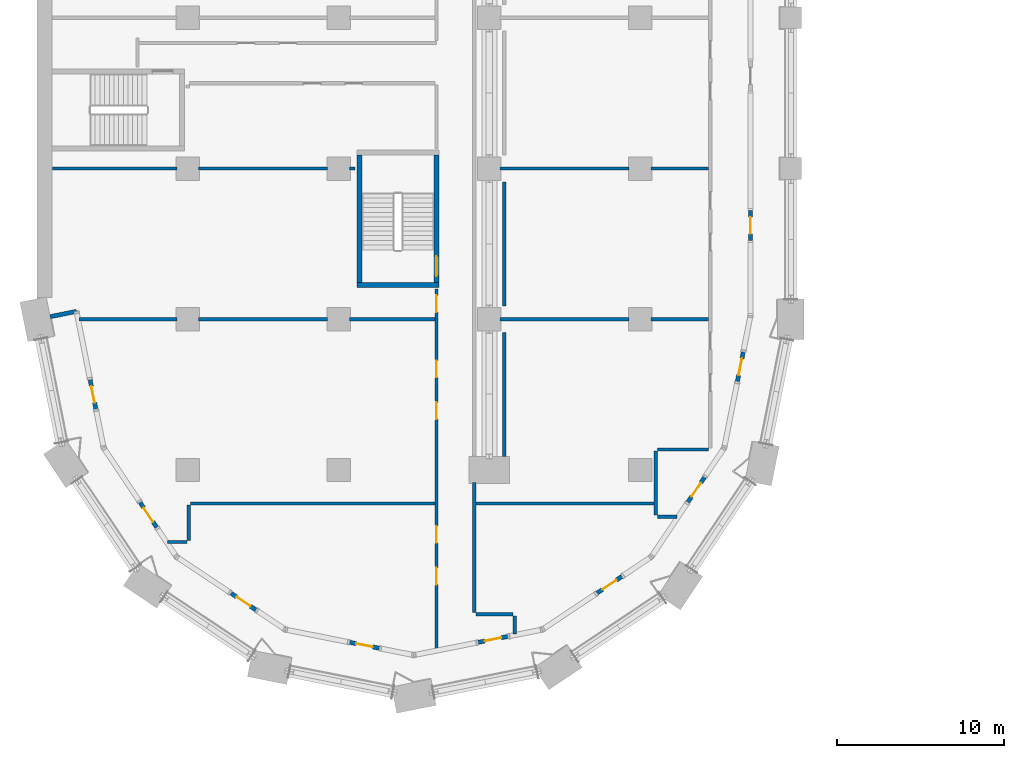
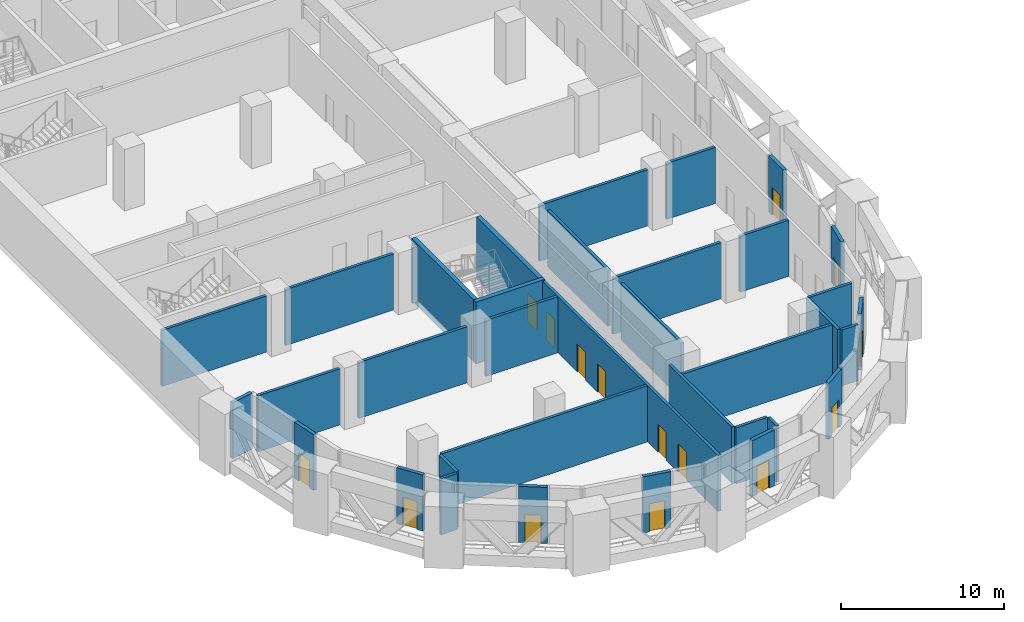
# One storey, part 8 of 24: 36 walls, 15 doors, 15 openings.
"""IFC4 building model written with IfcOpenShell, lengths in metres."""

from ifc_helpers import new_model, si_unit, direction, frame, frame_2d, origin, place, context, subcontext, project, spatial, rectangle, extrude, material, layer, layer_set, type_object, element, fill, save


model = new_model("IFC4")

# Units and contexts
model_context = context("Model", 3, precision=1e-05, world=origin(), true_north=direction((0.0, 1.0)))
body_context = subcontext(model_context, "Body", "Model", "MODEL_VIEW")
ifc_project = project(units=[si_unit("LENGTHUNIT", "METRE"), si_unit("AREAUNIT", "SQUARE_METRE"), si_unit("VOLUMEUNIT", "CUBIC_METRE"), si_unit("PLANEANGLEUNIT", "RADIAN"), si_unit("MASSUNIT", "GRAM", prefix="KILO")], contexts=[model_context])

# Site, building, storey
site_placement = place(None, origin())
site = spatial("IfcSite", under=ifc_project, at=site_placement, CompositionType="ELEMENT")
building_placement = place(site_placement, origin())
building = spatial("IfcBuilding", under=site, at=building_placement, Name="Hunhe Ridgeline Campus", CompositionType="ELEMENT")
storey_placement = place(building_placement, frame((0.0, 0.0, 80.199951171875)))
storey = spatial("IfcBuildingStorey", under=building, at=storey_placement, Name="L19", CompositionType="ELEMENT", Elevation=80.199951171875)

# Walls
ifc_material_1 = material(Name="Concrete C30", Category="concrete")
ifc_layer_1 = layer(ifc_material_1, 0.25)
ifc_layer_set_1 = layer_set([ifc_layer_1], Name="Corner return wall 250 Concrete C30")
wall_type_1 = type_object("IfcWallType", Name="Corner return wall 250 Concrete C30", PredefinedType="SOLIDWALL", material=ifc_layer_set_1)
wall_1_placement = place(storey_placement, frame((0.784423828125, 27.15673828125, 0.0), z_axis=(0.0, 0.0, 1.0), x_axis=(0.980826234823, 0.19488431718, 0.0)))
element("IfcWall", 1, at=wall_1_placement, inside=storey, type_object=wall_type_1, Name="Corner return wall 1", PredefinedType="SOLIDWALL", context=body_context, shape_type="SweptSolid", body=[
    extrude(rectangle(XDim=1.60107421875, YDim=0.25, at=frame_2d((0.800537109375, 0.0))), origin(), (0.0, 0.0, 1.0), 4.199951171875),
])
ifc_material_2 = material(Name="Gypsum board partition")
ifc_layer_2 = layer(ifc_material_2, 0.199951171875)
ifc_layer_set_2 = layer_set([ifc_layer_2], Name="Corridor partition 200 gypsum board on steel studs")
wall_type_2 = type_object("IfcWallType", Name="Corridor partition 200 gypsum board on steel studs", PredefinedType="PARTITIONING", material=ifc_layer_set_2)
wall_2_placement = place(storey_placement, frame((26.199951171875, 9.386962890625, 0.0), z_axis=(0.0, 0.0, 1.0), x_axis=(1.0, 0.0, 0.0)))
element("IfcWall", 2, at=wall_2_placement, inside=storey, type_object=wall_type_2, Name="F-L19-wall-001", PredefinedType="PARTITIONING", context=body_context, shape_type="SweptSolid", body=[
    extrude(rectangle(XDim=2.219970703125, YDim=0.199951171875, at=frame_2d((1.10986328125, 0.0))), origin(), (0.0, 0.0, 1.0), 4.199951171875),
])
for number, where, z_axis, x_axis, name in (
    (3, (7.796875, 13.702880859375, 0.0), (0.0, 0.0, 1.0), (1.0, 0.0, 0.0), "F-L19-wall-002"),
    (4, (38.203125, 15.199951171875, 0.0), (0.0, 0.0, 1.0), (-1.0, 0.0, 0.0), "F-L19-wall-003"),
):
    element("IfcWall", number, at=place(storey_placement, frame(where, z_axis=z_axis, x_axis=x_axis)), inside=storey, type_object=wall_type_2, Name=name, PredefinedType="PARTITIONING", context=body_context, shape_type="SweptSolid", body=[
        extrude(rectangle(XDim=1.1650390625, YDim=0.199951171875, at=frame_2d((0.58251953125, 0.0))), origin(), (0.0, 0.0, 1.0), 4.199951171875),
    ])
wall_3_placement = place(storey_placement, frame((9.162109375, 15.9990234375, 0.0), z_axis=(0.0, 0.0, 1.0), x_axis=(1.0, 0.0, 0.0)))
element("IfcWall", 5, at=wall_3_placement, inside=storey, type_object=wall_type_2, Name="F-L19-wall-004", PredefinedType="PARTITIONING", context=body_context, shape_type="SweptSolid", body=[
    extrude(rectangle(XDim=14.587890625, YDim=0.199951171875, at=frame_2d((7.2939453125, 0.0))), origin(), (0.0, 0.0, 1.0), 4.199951171875),
])
wall_4_placement = place(storey_placement, frame((26.199951171875, 15.9990234375, 0.0), z_axis=(0.0, 0.0, 1.0), x_axis=(1.0, 0.0, 0.0)))
element("IfcWall", 6, at=wall_4_placement, inside=storey, type_object=wall_type_2, Name="F-L19-wall-005", PredefinedType="PARTITIONING", context=body_context, shape_type="SweptSolid", body=[
    extrude(rectangle(XDim=10.637939453125, YDim=0.199951171875, at=frame_2d((5.31884765625, 0.0))), origin(), (0.0, 0.0, 1.0), 4.199951171875),
])
wall_5_placement = place(storey_placement, frame((37.0380859375, 19.221923828125, 0.0), z_axis=(0.0, 0.0, 1.0), x_axis=(1.0, 0.0, 0.0)))
element("IfcWall", 7, at=wall_5_placement, inside=storey, type_object=wall_type_2, Name="F-L19-wall-006", PredefinedType="PARTITIONING", context=body_context, shape_type="SweptSolid", body=[
    extrude(rectangle(XDim=3.06201171875, YDim=0.199951171875, at=frame_2d((1.531005859375, 0.0))), origin(), (0.0, 0.0, 1.0), 4.199951171875),
])
wall_6_placement = place(storey_placement, frame((2.5029296875, 27.0, 0.0), z_axis=(0.0, 0.0, 1.0), x_axis=(1.0, 0.0, 0.0)))
element("IfcWall", 8, at=wall_6_placement, inside=storey, type_object=wall_type_2, Name="F-L19-wall-007", PredefinedType="PARTITIONING", context=body_context, shape_type="SweptSolid", body=[
    extrude(rectangle(XDim=5.84716796875, YDim=0.199951171875, at=frame_2d((2.923583984375, 0.0))), origin(), (0.0, 0.0, 1.0), 4.199951171875),
])
wall_7_placement = place(storey_placement, frame((9.64990234375, 27.0, 0.0), z_axis=(0.0, 0.0, 1.0), x_axis=(1.0, 0.0, 0.0)))
element("IfcWall", 9, at=wall_7_placement, inside=storey, type_object=wall_type_2, Name="F-L19-wall-008", PredefinedType="PARTITIONING", context=body_context, shape_type="SweptSolid", body=[
    extrude(rectangle(XDim=7.7001953125, YDim=0.199951171875, at=frame_2d((3.85009765625, 0.0))), origin(), (0.0, 0.0, 1.0), 4.199951171875),
])
wall_8_placement = place(storey_placement, frame((18.64990234375, 27.0, 0.0), z_axis=(0.0, 0.0, 1.0), x_axis=(1.0, 0.0, 0.0)))
element("IfcWall", 10, at=wall_8_placement, inside=storey, type_object=wall_type_2, Name="F-L19-wall-009", PredefinedType="PARTITIONING", context=body_context, shape_type="SweptSolid", body=[
    extrude(rectangle(XDim=5.10009765625, YDim=0.199951171875, at=frame_2d((2.550048828125, 0.0))), origin(), (0.0, 0.0, 1.0), 4.199951171875),
])
wall_9_placement = place(storey_placement, frame((27.64990234375, 27.0, 0.0), z_axis=(0.0, 0.0, 1.0), x_axis=(1.0, 0.0, 0.0)))
element("IfcWall", 11, at=wall_9_placement, inside=storey, type_object=wall_type_2, Name="F-L19-wall-010", PredefinedType="PARTITIONING", context=body_context, shape_type="SweptSolid", body=[
    extrude(rectangle(XDim=7.7001953125, YDim=0.199951171875, at=frame_2d((3.85009765625, 0.0))), origin(), (0.0, 0.0, 1.0), 4.199951171875),
])
wall_10_placement = place(storey_placement, frame((36.64990234375, 27.0, 0.0), z_axis=(0.0, 0.0, 1.0), x_axis=(1.0, 0.0, 0.0)))
element("IfcWall", 12, at=wall_10_placement, inside=storey, type_object=wall_type_2, Name="F-L19-wall-011", PredefinedType="PARTITIONING", context=body_context, shape_type="SweptSolid", body=[
    extrude(rectangle(XDim=3.4501953125, YDim=0.199951171875, at=frame_2d((1.72509765625, 0.0))), origin(), (0.0, 0.0, 1.0), 4.199951171875),
])
wall_11_placement = place(storey_placement, frame((0.924072265625, 36.0, 0.0), z_axis=(0.0, 0.0, 1.0), x_axis=(1.0, 0.0, 0.0)))
element("IfcWall", 13, at=wall_11_placement, inside=storey, type_object=wall_type_2, Name="F-L19-wall-012", PredefinedType="PARTITIONING", context=body_context, shape_type="SweptSolid", body=[
    extrude(rectangle(XDim=7.426025390625, YDim=0.199951171875, at=frame_2d((3.712890625, 0.0))), origin(), (0.0, 0.0, 1.0), 4.199951171875),
])
wall_12_placement = place(storey_placement, frame((9.64990234375, 36.0, 0.0), z_axis=(0.0, 0.0, 1.0), x_axis=(1.0, 0.0, 0.0)))
element("IfcWall", 14, at=wall_12_placement, inside=storey, type_object=wall_type_2, Name="F-L19-wall-013", PredefinedType="PARTITIONING", context=body_context, shape_type="SweptSolid", body=[
    extrude(rectangle(XDim=7.7001953125, YDim=0.199951171875, at=frame_2d((3.85009765625, 0.0))), origin(), (0.0, 0.0, 1.0), 4.199951171875),
])
wall_13_placement = place(storey_placement, frame((18.64990234375, 36.0, 0.0), z_axis=(0.0, 0.0, 1.0), x_axis=(1.0, 0.0, 0.0)))
element("IfcWall", 15, at=wall_13_placement, inside=storey, type_object=wall_type_2, Name="F-L19-wall-014", PredefinedType="PARTITIONING", context=body_context, shape_type="SweptSolid", body=[
    extrude(rectangle(XDim=0.34619140625, YDim=0.199951171875, at=frame_2d((0.173095703125, 0.0))), origin(), (0.0, 0.0, 1.0), 4.199951171875),
])
wall_14_placement = place(storey_placement, frame((27.64990234375, 36.0, 0.0), z_axis=(0.0, 0.0, 1.0), x_axis=(1.0, 0.0, 0.0)))
element("IfcWall", 16, at=wall_14_placement, inside=storey, type_object=wall_type_2, Name="F-L19-wall-015", PredefinedType="PARTITIONING", context=body_context, shape_type="SweptSolid", body=[
    extrude(rectangle(XDim=7.7001953125, YDim=0.199951171875, at=frame_2d((3.85009765625, 0.0))), origin(), (0.0, 0.0, 1.0), 4.199951171875),
])
wall_15_placement = place(storey_placement, frame((36.64990234375, 36.0, 0.0), z_axis=(0.0, 0.0, 1.0), x_axis=(1.0, 0.0, 0.0)))
element("IfcWall", 17, at=wall_15_placement, inside=storey, type_object=wall_type_2, Name="F-L19-wall-016", PredefinedType="PARTITIONING", context=body_context, shape_type="SweptSolid", body=[
    extrude(rectangle(XDim=3.4501953125, YDim=0.199951171875, at=frame_2d((1.72509765625, 0.0))), origin(), (0.0, 0.0, 1.0), 4.199951171875),
])
wall_16_placement = place(storey_placement, frame((9.06201171875, 15.89892578125, 0.0), z_axis=(0.0, 0.0, 1.0), x_axis=(0.0, -1.0, 0.0)))
element("IfcWall", 18, at=wall_16_placement, inside=storey, type_object=wall_type_2, Name="F-L19-wall-046", PredefinedType="PARTITIONING", context=body_context, shape_type="SweptSolid", body=[
    extrude(rectangle(XDim=2.095947265625, YDim=0.199951171875, at=frame_2d((1.0478515625, 0.0))), origin(), (0.0, 0.0, 1.0), 4.199951171875),
])

# Wall, openings, doors
wall_17_placement = place(storey_placement, frame((23.85009765625, 7.271728515625, 0.0), z_axis=(0.0, 0.0, 1.0), x_axis=(0.0, 1.0, 0.0)))
wall_17 = element("IfcWall", 19, at=wall_17_placement, inside=storey, type_object=wall_type_2, Name="F-L19-wall-047", PredefinedType="PARTITIONING", context=body_context, shape_type="SweptSolid", body=[
    extrude(rectangle(XDim=21.524169921875, YDim=0.199951171875, at=frame_2d((10.76220703125, 0.0))), origin(), (0.0, 0.0, 1.0), 4.199951171875),
])
opening_1_placement = place(wall_17_placement, frame((3.8798828125, 0.0, 0.0)))
opening_1 = element("IfcOpeningElement", 20, at=opening_1_placement, cuts=wall_17, Name="Opening RD1-001", PredefinedType="OPENING", context=body_context, shape_type="SweptSolid", body=[
    extrude(rectangle(XDim=1.0, YDim=2.10009765625, at=frame_2d((0.5, 1.050048828125))), frame((0.0, 0.10009765625, 0.0), z_axis=(0.0, -1.0, 0.0), x_axis=(1.0, 0.0, 0.0)), (0.0, 0.0, 1.0), 0.199951171875),
])
opening_2_placement = place(wall_17_placement, frame((6.3798828125, 0.0, 0.0)))
opening_2 = element("IfcOpeningElement", 21, at=opening_2_placement, cuts=wall_17, Name="Opening RD1-002", PredefinedType="OPENING", context=body_context, shape_type="SweptSolid", body=[
    extrude(rectangle(XDim=1.0, YDim=2.10009765625, at=frame_2d((0.5, 1.050048828125))), frame((0.0, 0.10009765625, 0.0), z_axis=(0.0, -1.0, 0.0), x_axis=(1.0, 0.0, 0.0)), (0.0, 0.0, 1.0), 0.199951171875),
])
opening_3_placement = place(wall_17_placement, frame((13.76611328125, 0.0, 0.0)))
opening_3 = element("IfcOpeningElement", 22, at=opening_3_placement, cuts=wall_17, Name="Opening RD1-003", PredefinedType="OPENING", context=body_context, shape_type="SweptSolid", body=[
    extrude(rectangle(XDim=1.0, YDim=2.10009765625, at=frame_2d((0.5, 1.050048828125))), frame((0.0, 0.10009765625, 0.0), z_axis=(0.0, -1.0, 0.0), x_axis=(1.0, 0.0, 0.0)), (0.0, 0.0, 1.0), 0.199951171875),
])
opening_4_placement = place(wall_17_placement, frame((16.26611328125, 0.0, 0.0)))
opening_4 = element("IfcOpeningElement", 23, at=opening_4_placement, cuts=wall_17, Name="Opening RD1-005", PredefinedType="OPENING", context=body_context, shape_type="SweptSolid", body=[
    extrude(rectangle(XDim=1.0, YDim=2.10009765625, at=frame_2d((0.5, 1.050048828125))), frame((0.0, 0.10009765625, 0.0), z_axis=(0.0, -1.0, 0.0), x_axis=(1.0, 0.0, 0.0)), (0.0, 0.0, 1.0), 0.199951171875),
])
opening_5_placement = place(wall_17_placement, frame((20.1484375, 0.0, 0.0)))
opening_5 = element("IfcOpeningElement", 24, at=opening_5_placement, cuts=wall_17, Name="Opening RD1-007", PredefinedType="OPENING", context=body_context, shape_type="SweptSolid", body=[
    extrude(rectangle(XDim=1.0, YDim=2.10009765625, at=frame_2d((0.5, 1.050048828125))), frame((0.0, 0.10009765625, 0.0), z_axis=(0.0, -1.0, 0.0), x_axis=(1.0, 0.0, 0.0)), (0.0, 0.0, 1.0), 0.199951171875),
])
ifc_material_3 = material(Name="Timber door leaf", Category="wood")
door_type_1 = type_object("IfcDoorType", Name="Single fire door 1000x2100 timber FD60", OperationType="NOTDEFINED", PredefinedType="DOOR", material=ifc_material_3)
door_1_placement = place(opening_1_placement, frame((1.0, 0.0, 0.0), z_axis=(0.0, 0.0, 1.0), x_axis=(-1.0, 0.0, 0.0)))
door_1 = element("IfcDoor", 25, at=door_1_placement, inside=storey, type_object=door_type_1, Name="F-L19-door-001", OperationType="SINGLE_SWING_LEFT", OverallHeight=2.10009765625, OverallWidth=1.0, PredefinedType="DOOR", context=body_context, shape_type="SweptSolid", body=[
    extrude(rectangle(XDim=1.0, YDim=2.10009765625, at=frame_2d((0.5, 1.050048828125))), frame((0.0, 0.02490234375, 0.0), z_axis=(0.0, -1.0, 0.0), x_axis=(1.0, 0.0, 0.0)), (0.0, 0.0, 1.0), 0.050048828125),
])
fill(opening_1, door_1)
door_2_placement = place(opening_2_placement, frame((1.0, 0.0, 0.0), z_axis=(0.0, 0.0, 1.0), x_axis=(-1.0, 0.0, 0.0)))
door_2 = element("IfcDoor", 26, at=door_2_placement, inside=storey, type_object=door_type_1, Name="F-L19-door-002", OperationType="SINGLE_SWING_LEFT", OverallHeight=2.10009765625, OverallWidth=1.0, PredefinedType="DOOR", context=body_context, shape_type="SweptSolid", body=[
    extrude(rectangle(XDim=1.0, YDim=2.10009765625, at=frame_2d((0.5, 1.050048828125))), frame((0.0, 0.02490234375, 0.0), z_axis=(0.0, -1.0, 0.0), x_axis=(1.0, 0.0, 0.0)), (0.0, 0.0, 1.0), 0.050048828125),
])
fill(opening_2, door_2)
door_3_placement = place(opening_3_placement, frame((1.0, 0.0, 0.0), z_axis=(0.0, 0.0, 1.0), x_axis=(-1.0, 0.0, 0.0)))
door_3 = element("IfcDoor", 27, at=door_3_placement, inside=storey, type_object=door_type_1, Name="F-L19-door-003", OperationType="SINGLE_SWING_LEFT", OverallHeight=2.10009765625, OverallWidth=1.0, PredefinedType="DOOR", context=body_context, shape_type="SweptSolid", body=[
    extrude(rectangle(XDim=1.0, YDim=2.10009765625, at=frame_2d((0.5, 1.050048828125))), frame((0.0, 0.02490234375, 0.0), z_axis=(0.0, -1.0, 0.0), x_axis=(1.0, 0.0, 0.0)), (0.0, 0.0, 1.0), 0.050048828125),
])
fill(opening_3, door_3)
door_4_placement = place(opening_4_placement, frame((1.0, 0.0, 0.0), z_axis=(0.0, 0.0, 1.0), x_axis=(-1.0, 0.0, 0.0)))
door_4 = element("IfcDoor", 28, at=door_4_placement, inside=storey, type_object=door_type_1, Name="F-L19-door-005", OperationType="SINGLE_SWING_LEFT", OverallHeight=2.10009765625, OverallWidth=1.0, PredefinedType="DOOR", context=body_context, shape_type="SweptSolid", body=[
    extrude(rectangle(XDim=1.0, YDim=2.10009765625, at=frame_2d((0.5, 1.050048828125))), frame((0.0, 0.02490234375, 0.0), z_axis=(0.0, -1.0, 0.0), x_axis=(1.0, 0.0, 0.0)), (0.0, 0.0, 1.0), 0.050048828125),
])
fill(opening_4, door_4)
door_5_placement = place(opening_5_placement, frame((1.0, 0.0, 0.0), z_axis=(0.0, 0.0, 1.0), x_axis=(-1.0, 0.0, 0.0)))
door_5 = element("IfcDoor", 29, at=door_5_placement, inside=storey, type_object=door_type_1, Name="F-L19-door-007", OperationType="SINGLE_SWING_LEFT", OverallHeight=2.10009765625, OverallWidth=1.0, PredefinedType="DOOR", context=body_context, shape_type="SweptSolid", body=[
    extrude(rectangle(XDim=1.0, YDim=2.10009765625, at=frame_2d((0.5, 1.050048828125))), frame((0.0, 0.02490234375, 0.0), z_axis=(0.0, -1.0, 0.0), x_axis=(1.0, 0.0, 0.0)), (0.0, 0.0, 1.0), 0.050048828125),
])
fill(opening_5, door_5)

# Walls
wall_18_placement = place(storey_placement, frame((26.10009765625, 17.25, 0.0), z_axis=(0.0, 0.0, 1.0), x_axis=(0.0, -1.0, 0.0)))
element("IfcWall", 30, at=wall_18_placement, inside=storey, type_object=wall_type_2, Name="F-L19-wall-050", PredefinedType="PARTITIONING", context=body_context, shape_type="SweptSolid", body=[
    extrude(rectangle(XDim=7.762939453125, YDim=0.199951171875, at=frame_2d((3.88134765625, 0.0))), origin(), (0.0, 0.0, 1.0), 4.199951171875),
])
for number, where, z_axis, x_axis, name in (
    (31, (27.89990234375, 26.199951171875, 0.0), (0.0, 0.0, 1.0), (0.0, -1.0, 0.0), "F-L19-wall-052"),
    (32, (27.89990234375, 35.199951171875, 0.0), (0.0, 0.0, 1.0), (0.0, -1.0, 0.0), "F-L19-wall-053"),
):
    element("IfcWall", number, at=place(storey_placement, frame(where, z_axis=z_axis, x_axis=x_axis)), inside=storey, type_object=wall_type_2, Name=name, PredefinedType="PARTITIONING", context=body_context, shape_type="SweptSolid", body=[
        extrude(rectangle(XDim=7.39990234375, YDim=0.199951171875, at=frame_2d((3.699951171875, 0.0))), origin(), (0.0, 0.0, 1.0), 4.199951171875),
    ])
wall_19_placement = place(storey_placement, frame((28.52001953125, 9.287109375, 0.0), z_axis=(0.0, 0.0, 1.0), x_axis=(0.0, -1.0, 0.0)))
element("IfcWall", 33, at=wall_19_placement, inside=storey, type_object=wall_type_2, Name="F-L19-wall-057", PredefinedType="PARTITIONING", context=body_context, shape_type="SweptSolid", body=[
    extrude(rectangle(XDim=1.086669921875, YDim=0.199951171875, at=frame_2d((0.54345703125, 0.0))), origin(), (0.0, 0.0, 1.0), 4.199951171875),
])
wall_20_placement = place(storey_placement, frame((36.93798828125, 15.300048828125, 0.0), z_axis=(0.0, 0.0, 1.0), x_axis=(0.0, 1.0, 0.0)))
element("IfcWall", 34, at=wall_20_placement, inside=storey, type_object=wall_type_2, Name="F-L19-wall-058", PredefinedType="PARTITIONING", context=body_context, shape_type="SweptSolid", body=[
    extrude(rectangle(XDim=3.822021484375, YDim=0.199951171875, at=frame_2d((1.9111328125, 0.0))), origin(), (0.0, 0.0, 1.0), 4.199951171875),
])

# Wall, opening, door
ifc_layer_3 = layer(ifc_material_1, 0.25)
ifc_layer_set_3 = layer_set([ifc_layer_3], Name="Loggia door pier wall 250 Concrete C30")
wall_type_3 = type_object("IfcWallType", Name="Loggia door pier wall 250 Concrete C30", PredefinedType="SOLIDWALL", material=ifc_layer_set_3)
wall_21_placement = place(storey_placement, frame((3.16455078125, 23.3974609375, 0.0), z_axis=(0.0, 0.0, 1.0), x_axis=(0.19517704197, -0.980768026746, 0.0)))
wall_21 = element("IfcWall", 35, at=wall_21_placement, inside=storey, type_object=wall_type_3, Name="Loggia door pier 1", PredefinedType="SOLIDWALL", context=body_context, shape_type="SweptSolid", body=[
    extrude(rectangle(XDim=1.800048828125, YDim=0.25, at=frame_2d((0.89990234375, 0.0))), origin(), (0.0, 0.0, 1.0), 4.199951171875),
])
opening_6_placement = place(wall_21_placement, frame((0.39990234375, 0.0, 0.0)))
opening_6 = element("IfcOpeningElement", 36, at=opening_6_placement, cuts=wall_21, Name="Opening BR201", PredefinedType="OPENING", context=body_context, shape_type="SweptSolid", body=[
    extrude(rectangle(XDim=1.0, YDim=2.10009765625, at=frame_2d((0.5, 1.050048828125))), frame((0.0, 0.125, 0.0), z_axis=(0.0, -1.0, 0.0), x_axis=(1.0, 0.0, 0.0)), (0.0, 0.0, 1.0), 0.25),
])
ifc_material_4 = material(Name="Aluminium 6063", Category="aluminium")
door_type_2 = type_object("IfcDoorType", Name="Loggia glazed door 1000x2100", OperationType="NOTDEFINED", PredefinedType="DOOR", material=ifc_material_4)
door_6_placement = place(opening_6_placement, frame((1.0, 0.0, 0.0), z_axis=(0.0, 0.0, 1.0), x_axis=(-1.0, 0.0, 0.0)))
door_6 = element("IfcDoor", 37, at=door_6_placement, inside=storey, type_object=door_type_2, Name="Loggia door BR201", OperationType="SINGLE_SWING_RIGHT", OverallHeight=2.10009765625, OverallWidth=1.0, PredefinedType="DOOR", context=body_context, shape_type="SweptSolid", body=[
    extrude(rectangle(XDim=1.0, YDim=2.10009765625, at=frame_2d((0.5, 1.050048828125))), frame((0.0, 0.02490234375, 0.0), z_axis=(0.0, -1.0, 0.0), x_axis=(1.0, 0.0, 0.0)), (0.0, 0.0, 1.0), 0.050048828125),
])
fill(opening_6, door_6)

wall_22_placement = place(storey_placement, frame((6.147705078125, 16.07373046875, 0.0), z_axis=(0.0, 0.0, 1.0), x_axis=(0.555576323502, -0.83146554274, 0.0)))
wall_22 = element("IfcWall", 38, at=wall_22_placement, inside=storey, type_object=wall_type_3, Name="Loggia door pier 2", PredefinedType="SOLIDWALL", context=body_context, shape_type="SweptSolid", body=[
    extrude(rectangle(XDim=1.800048828125, YDim=0.25, at=frame_2d((0.89990234375, 0.0))), origin(), (0.0, 0.0, 1.0), 4.199951171875),
])
opening_7_placement = place(wall_22_placement, frame((0.39990234375, 0.0, 0.0)))
opening_7 = element("IfcOpeningElement", 39, at=opening_7_placement, cuts=wall_22, Name="Opening BR202", PredefinedType="OPENING", context=body_context, shape_type="SweptSolid", body=[
    extrude(rectangle(XDim=1.0, YDim=2.10009765625, at=frame_2d((0.5, 1.050048828125))), frame((0.0, 0.125, 0.0), z_axis=(0.0, -1.0, 0.0), x_axis=(1.0, 0.0, 0.0)), (0.0, 0.0, 1.0), 0.25),
])
door_7_placement = place(opening_7_placement, frame((1.0, 0.0, 0.0), z_axis=(0.0, 0.0, 1.0), x_axis=(-1.0, 0.0, 0.0)))
door_7 = element("IfcDoor", 40, at=door_7_placement, inside=storey, type_object=door_type_2, Name="Loggia door BR202", OperationType="SINGLE_SWING_LEFT", OverallHeight=2.10009765625, OverallWidth=1.0, PredefinedType="DOOR", context=body_context, shape_type="SweptSolid", body=[
    extrude(rectangle(XDim=1.0, YDim=2.10009765625, at=frame_2d((0.5, 1.050048828125))), frame((0.0, 0.02490234375, 0.0), z_axis=(0.0, -1.0, 0.0), x_axis=(1.0, 0.0, 0.0)), (0.0, 0.0, 1.0), 0.050048828125),
])
fill(opening_7, door_7)

wall_23_placement = place(storey_placement, frame((11.57373046875, 10.647705078125, 0.0), z_axis=(0.0, 0.0, 1.0), x_axis=(0.83146554274, -0.555576323502, 0.0)))
wall_23 = element("IfcWall", 41, at=wall_23_placement, inside=storey, type_object=wall_type_3, Name="Loggia door pier 3", PredefinedType="SOLIDWALL", context=body_context, shape_type="SweptSolid", body=[
    extrude(rectangle(XDim=1.800048828125, YDim=0.25, at=frame_2d((0.89990234375, 0.0))), origin(), (0.0, 0.0, 1.0), 4.199951171875),
])
opening_8_placement = place(wall_23_placement, frame((0.39990234375, 0.0, 0.0)))
opening_8 = element("IfcOpeningElement", 42, at=opening_8_placement, cuts=wall_23, Name="Opening BR203", PredefinedType="OPENING", context=body_context, shape_type="SweptSolid", body=[
    extrude(rectangle(XDim=1.0, YDim=2.10009765625, at=frame_2d((0.5, 1.050048828125))), frame((0.0, 0.125, 0.0), z_axis=(0.0, -1.0, 0.0), x_axis=(1.0, 0.0, 0.0)), (0.0, 0.0, 1.0), 0.25),
])
door_8_placement = place(opening_8_placement, frame((1.0, 0.0, 0.0), z_axis=(0.0, 0.0, 1.0), x_axis=(-1.0, 0.0, 0.0)))
door_8 = element("IfcDoor", 43, at=door_8_placement, inside=storey, type_object=door_type_2, Name="Loggia door BR203", OperationType="SINGLE_SWING_RIGHT", OverallHeight=2.10009765625, OverallWidth=1.0, PredefinedType="DOOR", context=body_context, shape_type="SweptSolid", body=[
    extrude(rectangle(XDim=1.0, YDim=2.10009765625, at=frame_2d((0.5, 1.050048828125))), frame((0.0, 0.02490234375, 0.0), z_axis=(0.0, -1.0, 0.0), x_axis=(1.0, 0.0, 0.0)), (0.0, 0.0, 1.0), 0.050048828125),
])
fill(opening_8, door_8)

wall_24_placement = place(storey_placement, frame((18.663330078125, 7.711181640625, 0.0), z_axis=(0.0, 0.0, 1.0), x_axis=(0.980793982239, -0.195046569833, 0.0)))
wall_24 = element("IfcWall", 44, at=wall_24_placement, inside=storey, type_object=wall_type_3, Name="Loggia door pier 4", PredefinedType="SOLIDWALL", context=body_context, shape_type="SweptSolid", body=[
    extrude(rectangle(XDim=1.800048828125, YDim=0.25, at=frame_2d((0.89990234375, 0.0))), origin(), (0.0, 0.0, 1.0), 4.199951171875),
])
opening_9_placement = place(wall_24_placement, frame((0.39990234375, 0.0, 0.0)))
opening_9 = element("IfcOpeningElement", 45, at=opening_9_placement, cuts=wall_24, Name="Opening BR204", PredefinedType="OPENING", context=body_context, shape_type="SweptSolid", body=[
    extrude(rectangle(XDim=1.0, YDim=2.10009765625, at=frame_2d((0.5, 1.050048828125))), frame((0.0, 0.125, 0.0), z_axis=(0.0, -1.0, 0.0), x_axis=(1.0, 0.0, 0.0)), (0.0, 0.0, 1.0), 0.25),
])
door_9_placement = place(opening_9_placement, frame((1.0, 0.0, 0.0), z_axis=(0.0, 0.0, 1.0), x_axis=(-1.0, 0.0, 0.0)))
door_9 = element("IfcDoor", 46, at=door_9_placement, inside=storey, type_object=door_type_2, Name="Loggia door BR204", OperationType="SINGLE_SWING_LEFT", OverallHeight=2.10009765625, OverallWidth=1.0, PredefinedType="DOOR", context=body_context, shape_type="SweptSolid", body=[
    extrude(rectangle(XDim=1.0, YDim=2.10009765625, at=frame_2d((0.5, 1.050048828125))), frame((0.0, 0.02490234375, 0.0), z_axis=(0.0, -1.0, 0.0), x_axis=(1.0, 0.0, 0.0)), (0.0, 0.0, 1.0), 0.050048828125),
])
fill(opening_9, door_9)

wall_25_placement = place(storey_placement, frame((26.336669921875, 7.711181640625, 0.0), z_axis=(0.0, 0.0, 1.0), x_axis=(0.98077319256, 0.195151081871, 0.0)))
wall_25 = element("IfcWall", 47, at=wall_25_placement, inside=storey, type_object=wall_type_3, Name="Loggia door pier 5", PredefinedType="SOLIDWALL", context=body_context, shape_type="SweptSolid", body=[
    extrude(rectangle(XDim=1.80029296875, YDim=0.25, at=frame_2d((0.900146484375, 0.0))), origin(), (0.0, 0.0, 1.0), 4.199951171875),
])
opening_10_placement = place(wall_25_placement, frame((0.39990234375, 0.0, 0.0)))
opening_10 = element("IfcOpeningElement", 48, at=opening_10_placement, cuts=wall_25, Name="Opening BR205", PredefinedType="OPENING", context=body_context, shape_type="SweptSolid", body=[
    extrude(rectangle(XDim=1.0, YDim=2.10009765625, at=frame_2d((0.5, 1.050048828125))), frame((0.0, 0.125, 0.0), z_axis=(0.0, -1.0, 0.0), x_axis=(1.0, 0.0, 0.0)), (0.0, 0.0, 1.0), 0.25),
])
door_10_placement = place(opening_10_placement, frame((1.0, 0.0, 0.0), z_axis=(0.0, 0.0, 1.0), x_axis=(-1.0, 0.0, 0.0)))
door_10 = element("IfcDoor", 49, at=door_10_placement, inside=storey, type_object=door_type_2, Name="Loggia door BR205", OperationType="SINGLE_SWING_RIGHT", OverallHeight=2.10009765625, OverallWidth=1.0, PredefinedType="DOOR", context=body_context, shape_type="SweptSolid", body=[
    extrude(rectangle(XDim=1.0, YDim=2.10009765625, at=frame_2d((0.5, 1.050048828125))), frame((0.0, 0.02490234375, 0.0), z_axis=(0.0, -1.0, 0.0), x_axis=(1.0, 0.0, 0.0)), (0.0, 0.0, 1.0), 0.050048828125),
])
fill(opening_10, door_10)

wall_26_placement = place(storey_placement, frame((33.42626953125, 10.647705078125, 0.0), z_axis=(0.0, 0.0, 1.0), x_axis=(0.83146554274, 0.555576323502, 0.0)))
wall_26 = element("IfcWall", 50, at=wall_26_placement, inside=storey, type_object=wall_type_3, Name="Loggia door pier 6", PredefinedType="SOLIDWALL", context=body_context, shape_type="SweptSolid", body=[
    extrude(rectangle(XDim=1.800048828125, YDim=0.25, at=frame_2d((0.89990234375, 0.0))), origin(), (0.0, 0.0, 1.0), 4.199951171875),
])
opening_11_placement = place(wall_26_placement, frame((0.39990234375, 0.0, 0.0)))
opening_11 = element("IfcOpeningElement", 51, at=opening_11_placement, cuts=wall_26, Name="Opening BR206", PredefinedType="OPENING", context=body_context, shape_type="SweptSolid", body=[
    extrude(rectangle(XDim=1.0, YDim=2.10009765625, at=frame_2d((0.5, 1.050048828125))), frame((0.0, 0.125, 0.0), z_axis=(0.0, -1.0, 0.0), x_axis=(1.0, 0.0, 0.0)), (0.0, 0.0, 1.0), 0.25),
])
door_11_placement = place(opening_11_placement, frame((1.0, 0.0, 0.0), z_axis=(0.0, 0.0, 1.0), x_axis=(-1.0, 0.0, 0.0)))
door_11 = element("IfcDoor", 52, at=door_11_placement, inside=storey, type_object=door_type_2, Name="Loggia door BR206", OperationType="SINGLE_SWING_LEFT", OverallHeight=2.10009765625, OverallWidth=1.0, PredefinedType="DOOR", context=body_context, shape_type="SweptSolid", body=[
    extrude(rectangle(XDim=1.0, YDim=2.10009765625, at=frame_2d((0.5, 1.050048828125))), frame((0.0, 0.02490234375, 0.0), z_axis=(0.0, -1.0, 0.0), x_axis=(1.0, 0.0, 0.0)), (0.0, 0.0, 1.0), 0.050048828125),
])
fill(opening_11, door_11)

wall_27_placement = place(storey_placement, frame((38.852294921875, 16.07373046875, 0.0), z_axis=(0.0, 0.0, 1.0), x_axis=(0.555576323502, 0.83146554274, 0.0)))
wall_27 = element("IfcWall", 53, at=wall_27_placement, inside=storey, type_object=wall_type_3, Name="Loggia door pier 7", PredefinedType="SOLIDWALL", context=body_context, shape_type="SweptSolid", body=[
    extrude(rectangle(XDim=1.800048828125, YDim=0.25, at=frame_2d((0.89990234375, 0.0))), origin(), (0.0, 0.0, 1.0), 4.199951171875),
])
opening_12_placement = place(wall_27_placement, frame((0.39990234375, 0.0, 0.0)))
opening_12 = element("IfcOpeningElement", 54, at=opening_12_placement, cuts=wall_27, Name="Opening BR207", PredefinedType="OPENING", context=body_context, shape_type="SweptSolid", body=[
    extrude(rectangle(XDim=1.0, YDim=2.10009765625, at=frame_2d((0.5, 1.050048828125))), frame((0.0, 0.125, 0.0), z_axis=(0.0, -1.0, 0.0), x_axis=(1.0, 0.0, 0.0)), (0.0, 0.0, 1.0), 0.25),
])
door_12_placement = place(opening_12_placement, frame((1.0, 0.0, 0.0), z_axis=(0.0, 0.0, 1.0), x_axis=(-1.0, 0.0, 0.0)))
door_12 = element("IfcDoor", 55, at=door_12_placement, inside=storey, type_object=door_type_2, Name="Loggia door BR207", OperationType="SINGLE_SWING_RIGHT", OverallHeight=2.10009765625, OverallWidth=1.0, PredefinedType="DOOR", context=body_context, shape_type="SweptSolid", body=[
    extrude(rectangle(XDim=1.0, YDim=2.10009765625, at=frame_2d((0.5, 1.050048828125))), frame((0.0, 0.02490234375, 0.0), z_axis=(0.0, -1.0, 0.0), x_axis=(1.0, 0.0, 0.0)), (0.0, 0.0, 1.0), 0.050048828125),
])
fill(opening_12, door_12)

wall_28_placement = place(storey_placement, frame((41.812255859375, 23.281494140625, 0.0), z_axis=(0.0, 0.0, 1.0), x_axis=(0.19517704197, 0.980768026746, 0.0)))
wall_28 = element("IfcWall", 56, at=wall_28_placement, inside=storey, type_object=wall_type_3, Name="Loggia door pier 8", PredefinedType="SOLIDWALL", context=body_context, shape_type="SweptSolid", body=[
    extrude(rectangle(XDim=1.800048828125, YDim=0.25, at=frame_2d((0.89990234375, 0.0))), origin(), (0.0, 0.0, 1.0), 4.199951171875),
])
opening_13_placement = place(wall_28_placement, frame((0.39990234375, 0.0, 0.0)))
opening_13 = element("IfcOpeningElement", 57, at=opening_13_placement, cuts=wall_28, Name="Opening BR208", PredefinedType="OPENING", context=body_context, shape_type="SweptSolid", body=[
    extrude(rectangle(XDim=1.0, YDim=2.10009765625, at=frame_2d((0.5, 1.050048828125))), frame((0.0, 0.125, 0.0), z_axis=(0.0, -1.0, 0.0), x_axis=(1.0, 0.0, 0.0)), (0.0, 0.0, 1.0), 0.25),
])
door_13_placement = place(opening_13_placement, frame((1.0, 0.0, 0.0), z_axis=(0.0, 0.0, 1.0), x_axis=(-1.0, 0.0, 0.0)))
door_13 = element("IfcDoor", 58, at=door_13_placement, inside=storey, type_object=door_type_2, Name="Loggia door BR208", OperationType="SINGLE_SWING_LEFT", OverallHeight=2.10009765625, OverallWidth=1.0, PredefinedType="DOOR", context=body_context, shape_type="SweptSolid", body=[
    extrude(rectangle(XDim=1.0, YDim=2.10009765625, at=frame_2d((0.5, 1.050048828125))), frame((0.0, 0.02490234375, 0.0), z_axis=(0.0, -1.0, 0.0), x_axis=(1.0, 0.0, 0.0)), (0.0, 0.0, 1.0), 0.050048828125),
])
fill(opening_13, door_13)

wall_29_placement = place(storey_placement, frame((42.59912109375, 31.697265625, 0.0), z_axis=(0.0, 0.0, 1.0), x_axis=(0.0, 1.0, 0.0)))
wall_29 = element("IfcWall", 59, at=wall_29_placement, inside=storey, type_object=wall_type_3, Name="Loggia door pier 9", PredefinedType="SOLIDWALL", context=body_context, shape_type="SweptSolid", body=[
    extrude(rectangle(XDim=1.7998046875, YDim=0.25, at=frame_2d((0.89990234375, 0.0))), origin(), (0.0, 0.0, 1.0), 4.199951171875),
])
opening_14_placement = place(wall_29_placement, frame((0.39990234375, 0.0, 0.0)))
opening_14 = element("IfcOpeningElement", 60, at=opening_14_placement, cuts=wall_29, Name="Opening BR209", PredefinedType="OPENING", context=body_context, shape_type="SweptSolid", body=[
    extrude(rectangle(XDim=1.0, YDim=2.10009765625, at=frame_2d((0.5, 1.050048828125))), frame((0.0, 0.125, 0.0), z_axis=(0.0, -1.0, 0.0), x_axis=(1.0, 0.0, 0.0)), (0.0, 0.0, 1.0), 0.25),
])
door_14_placement = place(opening_14_placement, frame((1.0, 0.0, 0.0), z_axis=(0.0, 0.0, 1.0), x_axis=(-1.0, 0.0, 0.0)))
door_14 = element("IfcDoor", 61, at=door_14_placement, inside=storey, type_object=door_type_2, Name="Loggia door BR209", OperationType="SINGLE_SWING_RIGHT", OverallHeight=2.10009765625, OverallWidth=1.0, PredefinedType="DOOR", context=body_context, shape_type="SweptSolid", body=[
    extrude(rectangle(XDim=1.0, YDim=2.10009765625, at=frame_2d((0.5, 1.050048828125))), frame((0.0, 0.02490234375, 0.0), z_axis=(0.0, -1.0, 0.0), x_axis=(1.0, 0.0, 0.0)), (0.0, 0.0, 1.0), 0.050048828125),
])
fill(opening_14, door_14)

# Walls
ifc_material_5 = material(Name="Concrete C80", Category="concrete")
ifc_layer_4 = layer(ifc_material_5, 0.300048828125)
ifc_layer_set_4 = layer_set([ifc_layer_4], Name="Stair wall 300 reinforced concrete C80")
wall_type_4 = type_object("IfcWallType", Name="Stair wall 300 reinforced concrete C80", PredefinedType="SOLIDWALL", material=ifc_layer_set_4)
wall_30_placement = place(storey_placement, frame((19.10009765625, 29.050048828125, -0.449951171875), z_axis=(0.0, 0.0, 1.0), x_axis=(1.0, 0.0, 0.0)))
element("IfcWall", 62, at=wall_30_placement, inside=storey, type_object=wall_type_4, Name="L19 core wall 1", PredefinedType="SOLIDWALL", context=body_context, shape_type="SweptSolid", body=[
    extrude(rectangle(XDim=4.89990234375, YDim=0.300048828125, at=frame_2d((2.449951171875, 0.0))), origin(), (0.0, 0.0, 1.0), 4.64990234375),
])
wall_31_placement = place(storey_placement, frame((19.25, 29.199951171875, -0.449951171875), z_axis=(0.0, 0.0, 1.0), x_axis=(0.0, 1.0, 0.0)))
element("IfcWall", 63, at=wall_31_placement, inside=storey, type_object=wall_type_4, Name="L19 core wall 51", PredefinedType="SOLIDWALL", context=body_context, shape_type="SweptSolid", body=[
    extrude(rectangle(XDim=7.60009765625, YDim=0.300048828125, at=frame_2d((3.800048828125, 0.0))), origin(), (0.0, 0.0, 1.0), 4.64990234375),
])

# Wall, opening, door
wall_32_placement = place(storey_placement, frame((23.85009765625, 29.199951171875, -0.449951171875), z_axis=(0.0, 0.0, 1.0), x_axis=(0.0, 1.0, 0.0)))
wall_32 = element("IfcWall", 64, at=wall_32_placement, inside=storey, type_object=wall_type_4, Name="L19 core wall 56", PredefinedType="SOLIDWALL", context=body_context, shape_type="SweptSolid", body=[
    extrude(rectangle(XDim=7.60009765625, YDim=0.300048828125, at=frame_2d((3.800048828125, 0.0))), origin(), (0.0, 0.0, 1.0), 4.64990234375),
])
opening_15_placement = place(wall_32_placement, frame((0.375, 0.0, 0.449951171875)))
opening_15 = element("IfcOpeningElement", 65, at=opening_15_placement, cuts=wall_32, Name="Opening CD23", PredefinedType="OPENING", context=body_context, shape_type="SweptSolid", body=[
    extrude(rectangle(XDim=1.199951171875, YDim=2.10009765625, at=frame_2d((0.60009765625, 1.050048828125))), frame((0.0, 0.14990234375, 0.0), z_axis=(0.0, -1.0, 0.0), x_axis=(1.0, 0.0, 0.0)), (0.0, 0.0, 1.0), 0.300048828125),
])
ifc_material_6 = material(Name="Hollow metal fire door leaf")
door_type_3 = type_object("IfcDoorType", Name="Stair door 1200x2100 FD60", OperationType="SINGLE_SWING_LEFT", PredefinedType="DOOR", material=ifc_material_6)
door_15_placement = place(opening_15_placement, frame((1.199951171875, 0.0, 0.0), z_axis=(0.0, 0.0, 1.0), x_axis=(-1.0, 0.0, 0.0)))
door_15 = element("IfcDoor", 66, at=door_15_placement, inside=storey, type_object=door_type_3, Name="L19 door W3", OperationType="SINGLE_SWING_RIGHT", OverallHeight=2.10009765625, OverallWidth=1.199951171875, PredefinedType="DOOR", context=body_context, shape_type="SweptSolid", body=[
    extrude(rectangle(XDim=1.199951171875, YDim=2.10009765625, at=frame_2d((0.60009765625, 1.050048828125))), frame((0.0, 0.02490234375, 0.0), z_axis=(0.0, -1.0, 0.0), x_axis=(1.0, 0.0, 0.0)), (0.0, 0.0, 1.0), 0.050048828125),
])
fill(opening_15, door_15)

save(model, "model.ifc")
